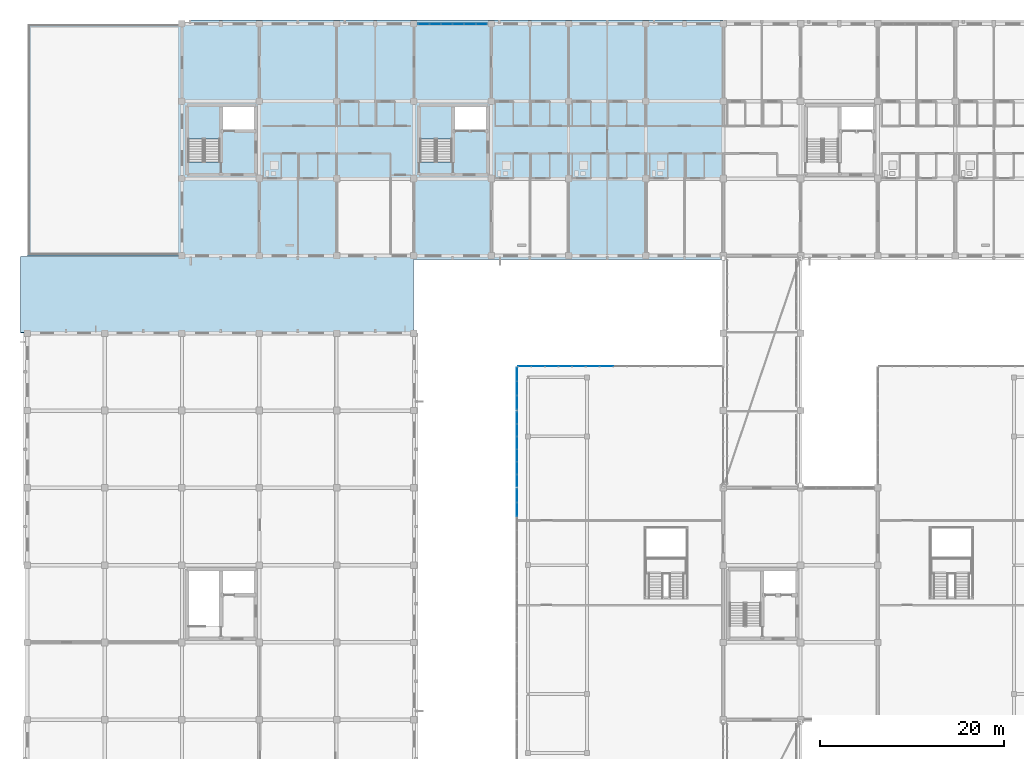
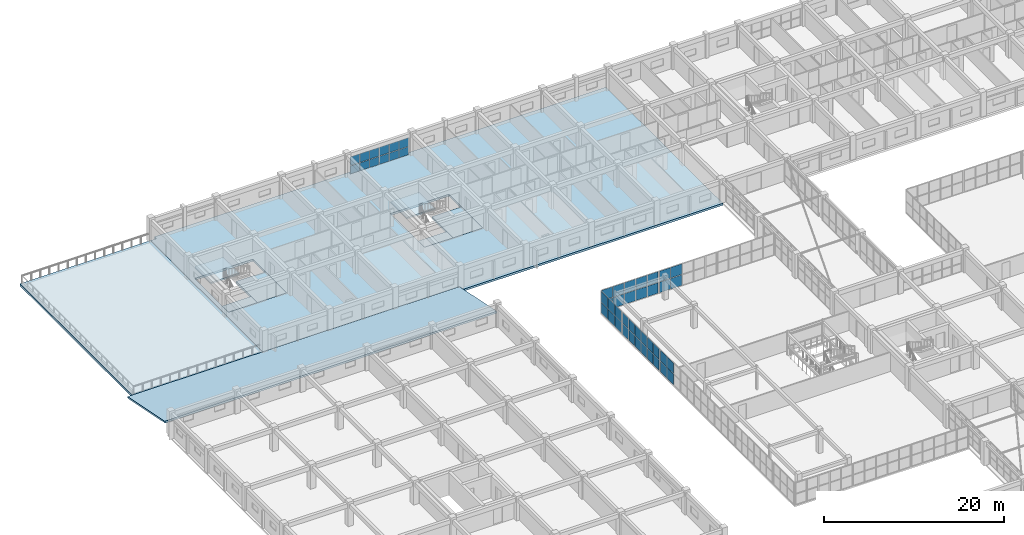
# One storey, part 103 of 148: 48 plates, 9 slabs, 8 elements without a shape of their own.
"""IFC4 building model written with IfcOpenShell, lengths in metres."""

import ifcopenshell
import ifcopenshell.guid

model = None  # the IFC model being written
_history = None  # IfcOwnerHistory: only IFC2X3 demands one
_inside = {}  # id of a spatial element -> (the spatial element, [elements in it])
_under = {}  # id of a project, library or spatial element -> (it, [spatial elements below it])
_declared = {}  # id of a project -> (the project, [libraries it declares])
_typed = {}  # id of a type object -> (the type object, [elements of that type])
_made_of = {}  # id of a material, layer set ... -> (it, [elements and type objects made of it])


def new_model(schema):
    """Start an empty IFC model of exactly this schema.

    Asked for "IFC4X3", IfcOpenShell would pick the latest addendum, in which some entities
    have other attributes; the version numbers below select the first issue.
    IFC2X3 requires an IfcOwnerHistory on every rooted entity: one is made here for all.
    """
    global model, _history
    if schema == "IFC4X3":
        model = ifcopenshell.file(schema_version=(4, 3, 0, 0))
    else:
        model = ifcopenshell.file(schema=schema)
    _inside.clear()
    _under.clear()
    _declared.clear()
    _typed.clear()
    _made_of.clear()
    _history = None
    if model.schema == "IFC2X3":
        org = make("IfcOrganization", Name="unknown")
        user = make(
            "IfcPersonAndOrganization",
            ThePerson=make("IfcPerson", FamilyName="unknown"),
            TheOrganization=org,
        )
        app = make(
            "IfcApplication",
            ApplicationDeveloper=org,
            Version="unknown",
            ApplicationFullName="unknown",
            ApplicationIdentifier="unknown",
        )
        _history = make(
            "IfcOwnerHistory",
            OwningUser=user,
            OwningApplication=app,
            ChangeAction="ADDED",
            CreationDate=0,
        )
    return model


def make(cls, **values):
    """One entity of the class cls with the attributes given. An attribute that is None is left unset."""
    return model.create_entity(
        cls, **{name: value for name, value in values.items() if value is not None}
    )


def rooted(cls, **values):
    """An entity with a GlobalId (a new one), such as an element, a storey or a relation."""
    return make(cls, GlobalId=ifcopenshell.guid.new(), OwnerHistory=_history, **values)


def si_unit(unit_type, name, prefix=None):
    """IfcSIUnit, for example si_unit("LENGTHUNIT", "METRE", prefix="MILLI")."""
    return make("IfcSIUnit", UnitType=unit_type, Prefix=prefix, Name=name)


def assignment(units):
    """IfcUnitAssignment: the units of a project."""
    return None if units is None else make("IfcUnitAssignment", Units=units)


def point(xyz):
    """IfcCartesianPoint."""
    return None if xyz is None else make("IfcCartesianPoint", Coordinates=xyz)


def direction(xyz):
    """IfcDirection."""
    return None if xyz is None else make("IfcDirection", DirectionRatios=xyz)


def frame(location, z_axis=None, x_axis=None):
    """IfcAxis2Placement3D, a coordinate frame: its origin and axes. An axis left out is left unset."""
    return make(
        "IfcAxis2Placement3D",
        Location=point(location),
        Axis=direction(z_axis),
        RefDirection=direction(x_axis),
    )


def frame_2d(location, x_axis=None):
    """IfcAxis2Placement2D, a coordinate frame in the plane: its origin and x axis."""
    return make(
        "IfcAxis2Placement2D", Location=point(location), RefDirection=direction(x_axis)
    )


def origin():
    """The frame at (0, 0, 0) with its axes left unset."""
    return frame((0.0, 0.0, 0.0))


def origin_2d():
    """The frame at (0, 0) in the plane with its x axis left unset."""
    return frame_2d((0.0, 0.0))


def place(relative_to, where):
    """IfcLocalPlacement: puts the frame where relative to a parent placement (None: the world)."""
    return make(
        "IfcLocalPlacement", PlacementRelTo=relative_to, RelativePlacement=where
    )


def context(
    kind, dimensions, precision=None, world=None, true_north=None, identifier=None
):
    """IfcGeometricRepresentationContext, for example the 3D "Model" context."""
    return make(
        "IfcGeometricRepresentationContext",
        ContextIdentifier=identifier,
        ContextType=kind,
        CoordinateSpaceDimension=dimensions,
        Precision=precision,
        WorldCoordinateSystem=world,
        TrueNorth=true_north,
    )


def subcontext(parent, identifier, kind, view, scale=None):
    """IfcGeometricRepresentationSubContext, for example "Body" below "Model"."""
    return make(
        "IfcGeometricRepresentationSubContext",
        ContextIdentifier=identifier,
        ContextType=kind,
        ParentContext=parent,
        TargetScale=scale,
        TargetView=view,
    )


def project(units=None, contexts=None):
    """IfcProject with its units and contexts."""
    return rooted(
        "IfcProject",
        Name="project",
        RepresentationContexts=contexts,
        UnitsInContext=assignment(units),
    )


def spatial(cls, under=None, at=None, **own):
    """A site, building, storey or space (cls), placed at a placement, below another one or the project."""
    s = rooted(cls, ObjectPlacement=at, **own)
    if under is not None:
        _under.setdefault(under.id(), (under, []))[1].append(s)
    return s


def polyline(points):
    """IfcPolyline through the points."""
    return make("IfcPolyline", Points=[point(p) for p in points])


def profile(cls, at=None, kind="AREA", **sizes):
    """A parametric profile (cls). Its sizes go by their IFC names, for example OverallWidth=200.0."""
    return make(cls, ProfileType=kind, Position=at, **sizes)


def rectangle(**sizes):
    """IfcRectangleProfileDef."""
    return profile("IfcRectangleProfileDef", **sizes)


def outline(outer, holes=None, kind="AREA"):
    """IfcArbitraryClosedProfileDef: a profile drawn as a closed curve; with holes, ...WithVoids."""
    if holes is None:
        return make("IfcArbitraryClosedProfileDef", ProfileType=kind, OuterCurve=outer)
    return make(
        "IfcArbitraryProfileDefWithVoids",
        ProfileType=kind,
        OuterCurve=outer,
        InnerCurves=holes,
    )


def extrude(swept, where, along, depth):
    """IfcExtrudedAreaSolid: the profile swept, set in the frame where, extruded along a direction by depth."""
    return make(
        "IfcExtrudedAreaSolid",
        SweptArea=swept,
        Position=where,
        ExtrudedDirection=direction(along),
        Depth=depth,
    )


def shape(context_of_items, identifier, shape_type, items):
    """IfcShapeRepresentation: the items that make up one representation, for example the "Body"."""
    return make(
        "IfcShapeRepresentation",
        ContextOfItems=context_of_items,
        RepresentationIdentifier=identifier,
        RepresentationType=shape_type,
        Items=items,
    )


def material(Name=None, Category=None):
    """IfcMaterial."""
    return make("IfcMaterial", Name=Name, Category=Category)


def layer(
    of_material, thickness, ventilated=None, Name=None, Category=None, Priority=None
):
    """IfcMaterialLayer: one layer of a wall or slab, of a material (None: an air gap)."""
    return make(
        "IfcMaterialLayer",
        Material=of_material,
        LayerThickness=thickness,
        IsVentilated=ventilated,
        Name=Name,
        Category=Category,
        Priority=Priority,
    )


def layer_set(layers, Name=None):
    """IfcMaterialLayerSet."""
    return make("IfcMaterialLayerSet", MaterialLayers=layers, LayerSetName=Name)


def made_of(thing, what):
    """Note that an element or type object is made of a material, layer set ...; save() writes the relation."""
    if what is not None:
        _made_of.setdefault(what.id(), (what, []))[1].append(thing)
    return thing


def type_object(cls, material=None, **own):
    """A type object (cls), such as IfcWallType, which elements share."""
    return made_of(rooted(cls, **own), material)


def element(
    cls,
    number,
    at=None,
    inside=None,
    cuts=None,
    type_object=None,
    material=None,
    context=None,
    identifier="Body",
    shape_type=None,
    held_by="IfcProductDefinitionShape",
    body=None,
    shapes=None,
    **own,
):
    """One element of the class cls, such as IfcWall. Its Tag is "e" and its number.

    at: its placement. inside: the storey or other place that contains it. cuts: it is an
    opening in that element (IfcRelVoidsElement). A single representation is given by context,
    identifier, shape_type and body (its items); several are given by shapes. held_by: the class
    of the entity that holds the representations. save() writes the other relations.
    """
    e = rooted(cls, Tag="e%d" % number, ObjectPlacement=at, **own)
    if body is not None:
        shapes = [shape(context, identifier, shape_type, body)]
    if shapes is not None:
        e.Representation = make(held_by, Representations=shapes)
    if inside is not None:
        _inside.setdefault(inside.id(), (inside, []))[1].append(e)
    if cuts is not None:
        rooted(
            "IfcRelVoidsElement", RelatingBuildingElement=cuts, RelatedOpeningElement=e
        )
    if type_object is not None:
        _typed.setdefault(type_object.id(), (type_object, []))[1].append(e)
    return made_of(e, material)


def aggregate(whole, parts):
    """IfcRelAggregates: a whole, such as a stair, and the parts it consists of."""
    return rooted("IfcRelAggregates", RelatingObject=whole, RelatedObjects=parts)


def save(model, path):
    """Write the relations noted so far, then the file.

    IfcRelAggregates (storeys below a building ...), IfcRelContainedInSpatialStructure (elements
    in a storey), IfcRelDefinesByType, IfcRelAssociatesMaterial and IfcRelDeclares: one each for
    every whole, place, type object, material and project.
    """
    for whole, parts in _under.values():
        aggregate(whole, parts)
    for where, things in _inside.values():
        rooted(
            "IfcRelContainedInSpatialStructure",
            RelatedElements=things,
            RelatingStructure=where,
        )
    for kind, things in _typed.values():
        rooted("IfcRelDefinesByType", RelatedObjects=things, RelatingType=kind)
    for what, things in _made_of.values():
        rooted("IfcRelAssociatesMaterial", RelatedObjects=things, RelatingMaterial=what)
    for by, libraries in _declared.values():
        rooted("IfcRelDeclares", RelatingContext=by, RelatedDefinitions=libraries)
    model.write(path)


model = new_model("IFC4")

# Units and contexts
model_context = context("Model", 3, precision=1e-05, world=origin(), true_north=direction((0.0, 1.0)))
body_context = subcontext(model_context, "Body", "Model", "MODEL_VIEW")
ifc_project = project(units=[si_unit("LENGTHUNIT", "METRE"), si_unit("AREAUNIT", "SQUARE_METRE"), si_unit("VOLUMEUNIT", "CUBIC_METRE"), si_unit("PLANEANGLEUNIT", "RADIAN"), si_unit("MASSUNIT", "GRAM", prefix="KILO")], contexts=[model_context])

# Site, building, storey
site_placement = place(None, origin())
site = spatial("IfcSite", under=ifc_project, at=site_placement, CompositionType="ELEMENT")
building_placement = place(site_placement, origin())
building = spatial("IfcBuilding", under=site, at=building_placement, Name="Trelvath General Hospital", CompositionType="ELEMENT")
storey_placement = place(building_placement, frame((0.0, 0.0, 12.89990234375)))
storey = spatial("IfcBuildingStorey", under=building, at=storey_placement, Name="L03", CompositionType="ELEMENT", Elevation=12.89990234375)

# Curtain wall, plates
ifc_material_1 = material(Name="Anodised aluminium and low-E glass", Category="aluminium")
ifc_layer_1 = layer(ifc_material_1, 0.14990234375)
ifc_layer_set_1 = layer_set([ifc_layer_1], Name="Anodised aluminium and low-E glass")
curtain_wall_type_1 = type_object("IfcCurtainWallType", Name="CW CrystalCube 737 306 15", PredefinedType="USERDEFINED", material=ifc_layer_set_1)
curtain_wall_1_placement = place(storey_placement, origin())
curtain_wall_1 = element("IfcCurtainWall", 1, at=curtain_wall_1_placement, inside=storey, type_object=curtain_wall_type_1, Name="Crystal Cube Curtain Wall CUBE-W-T1 N1 L03", ObjectType="Unitised Glazed Curtain Wall", PredefinedType="USERDEFINED")
ifc_material_2 = material(Name="Low-E laminated glass", Category="glass")
ifc_layer_2 = layer(ifc_material_2, 0.028076171875)
ifc_layer_set_2 = layer_set([ifc_layer_2], Name="Low-E laminated glass")
plate_type_1 = type_object("IfcPlateType", Name="CurtainPanel Glass28", PredefinedType="CURTAIN_PANEL", material=ifc_layer_set_2)
plate_1_placement = place(storey_placement, frame((54.03173828125, 80.39990234375, 0.06005859375), z_axis=(0.0, 0.0, 1.0), x_axis=(1.0, 0.0, 0.0)))
plate_1 = element("IfcPlate", 2, at=plate_1_placement, type_object=plate_type_1, Name="CW-233 panel 1.1", PredefinedType="CURTAIN_PANEL", context=body_context, shape_type="SweptSolid", body=[
    extrude(rectangle(XDim=1.38330078125, YDim=0.028076171875, at=origin_2d()), origin(), (0.0, 0.0, 1.0), 1.43994140625),
])
plate_2_placement = place(storey_placement, frame((54.03173828125, 80.39990234375, 1.56005859375), z_axis=(0.0, 0.0, 1.0), x_axis=(1.0, 0.0, 0.0)))
plate_2 = element("IfcPlate", 3, at=plate_2_placement, type_object=plate_type_1, Name="CW-233 panel 1.2", PredefinedType="CURTAIN_PANEL", context=body_context, shape_type="SweptSolid", body=[
    extrude(rectangle(XDim=1.38330078125, YDim=0.028076171875, at=origin_2d()), origin(), (0.0, 0.0, 1.0), 1.43994140625),
])
plate_3_placement = place(storey_placement, frame((55.489990234375, 80.39990234375, 0.06005859375), z_axis=(0.0, 0.0, 1.0), x_axis=(1.0, 0.0, 0.0)))
plate_3 = element("IfcPlate", 4, at=plate_3_placement, type_object=plate_type_1, Name="CW-233 panel 2.1", PredefinedType="CURTAIN_PANEL", context=body_context, shape_type="SweptSolid", body=[
    extrude(rectangle(XDim=1.413330078125, YDim=0.028076171875, at=origin_2d()), origin(), (0.0, 0.0, 1.0), 1.43994140625),
])
plate_4_placement = place(storey_placement, frame((55.489990234375, 80.39990234375, 1.56005859375), z_axis=(0.0, 0.0, 1.0), x_axis=(1.0, 0.0, 0.0)))
plate_4 = element("IfcPlate", 5, at=plate_4_placement, type_object=plate_type_1, Name="CW-233 panel 2.2", PredefinedType="CURTAIN_PANEL", context=body_context, shape_type="SweptSolid", body=[
    extrude(rectangle(XDim=1.413330078125, YDim=0.028076171875, at=origin_2d()), origin(), (0.0, 0.0, 1.0), 1.43994140625),
])
plate_5_placement = place(storey_placement, frame((56.96337890625, 80.39990234375, 0.06005859375), z_axis=(0.0, 0.0, 1.0), x_axis=(1.0, 0.0, 0.0)))
plate_5 = element("IfcPlate", 6, at=plate_5_placement, type_object=plate_type_1, Name="CW-233 panel 3.1", PredefinedType="CURTAIN_PANEL", context=body_context, shape_type="SweptSolid", body=[
    extrude(rectangle(XDim=1.413330078125, YDim=0.028076171875, at=origin_2d()), origin(), (0.0, 0.0, 1.0), 1.43994140625),
])
plate_6_placement = place(storey_placement, frame((56.96337890625, 80.39990234375, 1.56005859375), z_axis=(0.0, 0.0, 1.0), x_axis=(1.0, 0.0, 0.0)))
plate_6 = element("IfcPlate", 7, at=plate_6_placement, type_object=plate_type_1, Name="CW-233 panel 3.2", PredefinedType="CURTAIN_PANEL", context=body_context, shape_type="SweptSolid", body=[
    extrude(rectangle(XDim=1.413330078125, YDim=0.028076171875, at=origin_2d()), origin(), (0.0, 0.0, 1.0), 1.43994140625),
])
plate_7_placement = place(storey_placement, frame((58.436767578125, 80.39990234375, 0.06005859375), z_axis=(0.0, 0.0, 1.0), x_axis=(1.0, 0.0, 0.0)))
plate_7 = element("IfcPlate", 8, at=plate_7_placement, type_object=plate_type_1, Name="CW-233 panel 4.1", PredefinedType="CURTAIN_PANEL", context=body_context, shape_type="SweptSolid", body=[
    extrude(rectangle(XDim=1.413330078125, YDim=0.028076171875, at=origin_2d()), origin(), (0.0, 0.0, 1.0), 1.43994140625),
])
plate_8_placement = place(storey_placement, frame((58.436767578125, 80.39990234375, 1.56005859375), z_axis=(0.0, 0.0, 1.0), x_axis=(1.0, 0.0, 0.0)))
plate_8 = element("IfcPlate", 9, at=plate_8_placement, type_object=plate_type_1, Name="CW-233 panel 4.2", PredefinedType="CURTAIN_PANEL", context=body_context, shape_type="SweptSolid", body=[
    extrude(rectangle(XDim=1.413330078125, YDim=0.028076171875, at=origin_2d()), origin(), (0.0, 0.0, 1.0), 1.43994140625),
])
plate_9_placement = place(storey_placement, frame((59.89501953125, 80.39990234375, 0.06005859375), z_axis=(0.0, 0.0, 1.0), x_axis=(1.0, 0.0, 0.0)))
plate_9 = element("IfcPlate", 10, at=plate_9_placement, type_object=plate_type_1, Name="CW-233 panel 5.1", PredefinedType="CURTAIN_PANEL", context=body_context, shape_type="SweptSolid", body=[
    extrude(rectangle(XDim=1.38330078125, YDim=0.028076171875, at=origin_2d()), origin(), (0.0, 0.0, 1.0), 1.43994140625),
])
plate_10_placement = place(storey_placement, frame((59.89501953125, 80.39990234375, 1.56005859375), z_axis=(0.0, 0.0, 1.0), x_axis=(1.0, 0.0, 0.0)))
plate_10 = element("IfcPlate", 11, at=plate_10_placement, type_object=plate_type_1, Name="CW-233 panel 5.2", PredefinedType="CURTAIN_PANEL", context=body_context, shape_type="SweptSolid", body=[
    extrude(rectangle(XDim=1.38330078125, YDim=0.028076171875, at=origin_2d()), origin(), (0.0, 0.0, 1.0), 1.43994140625),
])
aggregate(curtain_wall_1, [plate_1, plate_2, plate_3, plate_4, plate_5, plate_6, plate_7, plate_8, plate_9, plate_10])

ifc_material_3 = material(Name="Anodised aluminium and low-E glass", Category="aluminium")
ifc_layer_3 = layer(ifc_material_3, 0.14990234375)
ifc_layer_set_3 = layer_set([ifc_layer_3], Name="Anodised aluminium and low-E glass")
curtain_wall_type_2 = type_object("IfcCurtainWallType", Name="CW CrystalCube 743 306 15", PredefinedType="USERDEFINED", material=ifc_layer_set_3)
curtain_wall_2_placement = place(storey_placement, origin())
curtain_wall_2 = element("IfcCurtainWall", 12, at=curtain_wall_2_placement, inside=storey, type_object=curtain_wall_type_2, Name="Crystal Cube Curtain Wall CUBE-W-T1 N2 L03", ObjectType="Unitised Glazed Curtain Wall", PredefinedType="USERDEFINED")
plate_11_placement = place(storey_placement, frame((61.4443359375, 80.39990234375, 0.06005859375), z_axis=(0.0, 0.0, 1.0), x_axis=(1.0, 0.0, 0.0)))
plate_11 = element("IfcPlate", 13, at=plate_11_placement, type_object=plate_type_1, Name="CW-234 panel 1.1", PredefinedType="CURTAIN_PANEL", context=body_context, shape_type="SweptSolid", body=[
    extrude(rectangle(XDim=1.395263671875, YDim=0.028076171875, at=origin_2d()), origin(), (0.0, 0.0, 1.0), 1.43994140625),
])
plate_12_placement = place(storey_placement, frame((61.4443359375, 80.39990234375, 1.56005859375), z_axis=(0.0, 0.0, 1.0), x_axis=(1.0, 0.0, 0.0)))
plate_12 = element("IfcPlate", 14, at=plate_12_placement, type_object=plate_type_1, Name="CW-234 panel 1.2", PredefinedType="CURTAIN_PANEL", context=body_context, shape_type="SweptSolid", body=[
    extrude(rectangle(XDim=1.395263671875, YDim=0.028076171875, at=origin_2d()), origin(), (0.0, 0.0, 1.0), 1.43994140625),
])
plate_13_placement = place(storey_placement, frame((62.914794921875, 80.39990234375, 0.06005859375), z_axis=(0.0, 0.0, 1.0), x_axis=(1.0, 0.0, 0.0)))
plate_13 = element("IfcPlate", 15, at=plate_13_placement, type_object=plate_type_1, Name="CW-234 panel 2.1", PredefinedType="CURTAIN_PANEL", context=body_context, shape_type="SweptSolid", body=[
    extrude(rectangle(XDim=1.42529296875, YDim=0.028076171875, at=origin_2d()), origin(), (0.0, 0.0, 1.0), 1.43994140625),
])
plate_14_placement = place(storey_placement, frame((62.914794921875, 80.39990234375, 1.56005859375), z_axis=(0.0, 0.0, 1.0), x_axis=(1.0, 0.0, 0.0)))
plate_14 = element("IfcPlate", 16, at=plate_14_placement, type_object=plate_type_1, Name="CW-234 panel 2.2", PredefinedType="CURTAIN_PANEL", context=body_context, shape_type="SweptSolid", body=[
    extrude(rectangle(XDim=1.42529296875, YDim=0.028076171875, at=origin_2d()), origin(), (0.0, 0.0, 1.0), 1.43994140625),
])
aggregate(curtain_wall_2, [plate_11, plate_12, plate_13, plate_14])

ifc_material_4 = material(Name="Anodised aluminium and low-E glass", Category="aluminium")
ifc_layer_4 = layer(ifc_material_4, 0.14990234375)
ifc_layer_set_4 = layer_set([ifc_layer_4], Name="Anodised aluminium and low-E glass")
curtain_wall_type_3 = type_object("IfcCurtainWallType", Name="CW CrystalCube 1664 306 15", PredefinedType="USERDEFINED", material=ifc_layer_set_4)
curtain_wall_3_placement = place(storey_placement, origin())
curtain_wall_3 = element("IfcCurtainWall", 17, at=curtain_wall_3_placement, inside=storey, type_object=curtain_wall_type_3, Name="Crystal Cube Curtain Wall CUBE-W-T1 W3 L03", ObjectType="Unitised Glazed Curtain Wall", PredefinedType="USERDEFINED")
plate_15_placement = place(storey_placement, frame((53.199951171875, 64.850830078125, 0.06005859375), z_axis=(0.0, 0.0, 1.0), x_axis=(0.0, 1.0, 0.0)))
plate_15 = element("IfcPlate", 18, at=plate_15_placement, type_object=plate_type_1, Name="CW-239 panel 10.1", PredefinedType="CURTAIN_PANEL", context=body_context, shape_type="SweptSolid", body=[
    extrude(rectangle(XDim=1.45263671875, YDim=0.028076171875, at=origin_2d()), origin(), (0.0, 0.0, 1.0), 1.43994140625),
])
plate_16_placement = place(storey_placement, frame((53.199951171875, 64.850830078125, 1.56005859375), z_axis=(0.0, 0.0, 1.0), x_axis=(0.0, 1.0, 0.0)))
plate_16 = element("IfcPlate", 19, at=plate_16_placement, type_object=plate_type_1, Name="CW-239 panel 10.2", PredefinedType="CURTAIN_PANEL", context=body_context, shape_type="SweptSolid", body=[
    extrude(rectangle(XDim=1.45263671875, YDim=0.028076171875, at=origin_2d()), origin(), (0.0, 0.0, 1.0), 1.43994140625),
])
plate_17_placement = place(storey_placement, frame((53.199951171875, 66.3486328125, 0.06005859375), z_axis=(0.0, 0.0, 1.0), x_axis=(0.0, 1.0, 0.0)))
plate_17 = element("IfcPlate", 20, at=plate_17_placement, type_object=plate_type_1, Name="CW-239 panel 11.1", PredefinedType="CURTAIN_PANEL", context=body_context, shape_type="SweptSolid", body=[
    extrude(rectangle(XDim=1.422607421875, YDim=0.028076171875, at=origin_2d()), origin(), (0.0, 0.0, 1.0), 1.43994140625),
])
plate_18_placement = place(storey_placement, frame((53.199951171875, 66.3486328125, 1.56005859375), z_axis=(0.0, 0.0, 1.0), x_axis=(0.0, 1.0, 0.0)))
plate_18 = element("IfcPlate", 21, at=plate_18_placement, type_object=plate_type_1, Name="CW-239 panel 11.2", PredefinedType="CURTAIN_PANEL", context=body_context, shape_type="SweptSolid", body=[
    extrude(rectangle(XDim=1.422607421875, YDim=0.028076171875, at=origin_2d()), origin(), (0.0, 0.0, 1.0), 1.43994140625),
])
aggregate(curtain_wall_3, [plate_15, plate_16, plate_17, plate_18])

ifc_material_5 = material(Name="Anodised aluminium and low-E glass", Category="aluminium")
ifc_layer_5 = layer(ifc_material_5, 0.14990234375)
ifc_layer_set_5 = layer_set([ifc_layer_5], Name="Anodised aluminium and low-E glass")
curtain_wall_type_4 = type_object("IfcCurtainWallType", Name="CW CrystalCube 824 306 15", PredefinedType="USERDEFINED", material=ifc_layer_set_5)
curtain_wall_4_placement = place(storey_placement, origin())
curtain_wall_4 = element("IfcCurtainWall", 22, at=curtain_wall_4_placement, inside=storey, type_object=curtain_wall_type_4, Name="Crystal Cube Curtain Wall CUBE-W-T1 W4 L03", ObjectType="Unitised Glazed Curtain Wall", PredefinedType="USERDEFINED")
plate_19_placement = place(storey_placement, frame((53.199951171875, 67.981689453125, 0.06005859375), z_axis=(0.0, 0.0, 1.0), x_axis=(0.0, 1.0, 0.0)))
plate_19 = element("IfcPlate", 23, at=plate_19_placement, type_object=plate_type_1, Name="CW-240 panel 1.1", PredefinedType="CURTAIN_PANEL", context=body_context, shape_type="SweptSolid", body=[
    extrude(rectangle(XDim=1.283447265625, YDim=0.028076171875, at=origin_2d()), origin(), (0.0, 0.0, 1.0), 1.43994140625),
])
plate_20_placement = place(storey_placement, frame((53.199951171875, 67.981689453125, 1.56005859375), z_axis=(0.0, 0.0, 1.0), x_axis=(0.0, 1.0, 0.0)))
plate_20 = element("IfcPlate", 24, at=plate_20_placement, type_object=plate_type_1, Name="CW-240 panel 1.2", PredefinedType="CURTAIN_PANEL", context=body_context, shape_type="SweptSolid", body=[
    extrude(rectangle(XDim=1.283447265625, YDim=0.028076171875, at=origin_2d()), origin(), (0.0, 0.0, 1.0), 1.43994140625),
])
plate_21_placement = place(storey_placement, frame((53.199951171875, 69.340087890625, 0.06005859375), z_axis=(0.0, 0.0, 1.0), x_axis=(0.0, 1.0, 0.0)))
plate_21 = element("IfcPlate", 25, at=plate_21_placement, type_object=plate_type_1, Name="CW-240 panel 2.1", PredefinedType="CURTAIN_PANEL", context=body_context, shape_type="SweptSolid", body=[
    extrude(rectangle(XDim=1.313232421875, YDim=0.028076171875, at=origin_2d()), origin(), (0.0, 0.0, 1.0), 1.43994140625),
])
plate_22_placement = place(storey_placement, frame((53.199951171875, 69.340087890625, 1.56005859375), z_axis=(0.0, 0.0, 1.0), x_axis=(0.0, 1.0, 0.0)))
plate_22 = element("IfcPlate", 26, at=plate_22_placement, type_object=plate_type_1, Name="CW-240 panel 2.2", PredefinedType="CURTAIN_PANEL", context=body_context, shape_type="SweptSolid", body=[
    extrude(rectangle(XDim=1.313232421875, YDim=0.028076171875, at=origin_2d()), origin(), (0.0, 0.0, 1.0), 1.43994140625),
])
plate_23_placement = place(storey_placement, frame((53.199951171875, 70.71337890625, 0.06005859375), z_axis=(0.0, 0.0, 1.0), x_axis=(0.0, 1.0, 0.0)))
plate_23 = element("IfcPlate", 27, at=plate_23_placement, type_object=plate_type_1, Name="CW-240 panel 3.1", PredefinedType="CURTAIN_PANEL", context=body_context, shape_type="SweptSolid", body=[
    extrude(rectangle(XDim=1.313232421875, YDim=0.028076171875, at=origin_2d()), origin(), (0.0, 0.0, 1.0), 1.43994140625),
])
plate_24_placement = place(storey_placement, frame((53.199951171875, 70.71337890625, 1.56005859375), z_axis=(0.0, 0.0, 1.0), x_axis=(0.0, 1.0, 0.0)))
plate_24 = element("IfcPlate", 28, at=plate_24_placement, type_object=plate_type_1, Name="CW-240 panel 3.2", PredefinedType="CURTAIN_PANEL", context=body_context, shape_type="SweptSolid", body=[
    extrude(rectangle(XDim=1.313232421875, YDim=0.028076171875, at=origin_2d()), origin(), (0.0, 0.0, 1.0), 1.43994140625),
])
plate_25_placement = place(storey_placement, frame((53.199951171875, 72.086669921875, 0.06005859375), z_axis=(0.0, 0.0, 1.0), x_axis=(0.0, 1.0, 0.0)))
plate_25 = element("IfcPlate", 29, at=plate_25_placement, type_object=plate_type_1, Name="CW-240 panel 4.1", PredefinedType="CURTAIN_PANEL", context=body_context, shape_type="SweptSolid", body=[
    extrude(rectangle(XDim=1.313232421875, YDim=0.028076171875, at=origin_2d()), origin(), (0.0, 0.0, 1.0), 1.43994140625),
])
plate_26_placement = place(storey_placement, frame((53.199951171875, 72.086669921875, 1.56005859375), z_axis=(0.0, 0.0, 1.0), x_axis=(0.0, 1.0, 0.0)))
plate_26 = element("IfcPlate", 30, at=plate_26_placement, type_object=plate_type_1, Name="CW-240 panel 4.2", PredefinedType="CURTAIN_PANEL", context=body_context, shape_type="SweptSolid", body=[
    extrude(rectangle(XDim=1.313232421875, YDim=0.028076171875, at=origin_2d()), origin(), (0.0, 0.0, 1.0), 1.43994140625),
])
plate_27_placement = place(storey_placement, frame((53.199951171875, 73.4599609375, 0.06005859375), z_axis=(0.0, 0.0, 1.0), x_axis=(0.0, 1.0, 0.0)))
plate_27 = element("IfcPlate", 31, at=plate_27_placement, type_object=plate_type_1, Name="CW-240 panel 5.1", PredefinedType="CURTAIN_PANEL", context=body_context, shape_type="SweptSolid", body=[
    extrude(rectangle(XDim=1.313232421875, YDim=0.028076171875, at=origin_2d()), origin(), (0.0, 0.0, 1.0), 1.43994140625),
])
plate_28_placement = place(storey_placement, frame((53.199951171875, 73.4599609375, 1.56005859375), z_axis=(0.0, 0.0, 1.0), x_axis=(0.0, 1.0, 0.0)))
plate_28 = element("IfcPlate", 32, at=plate_28_placement, type_object=plate_type_1, Name="CW-240 panel 5.2", PredefinedType="CURTAIN_PANEL", context=body_context, shape_type="SweptSolid", body=[
    extrude(rectangle(XDim=1.313232421875, YDim=0.028076171875, at=origin_2d()), origin(), (0.0, 0.0, 1.0), 1.43994140625),
])
plate_29_placement = place(storey_placement, frame((53.199951171875, 74.818359375, 0.06005859375), z_axis=(0.0, 0.0, 1.0), x_axis=(0.0, 1.0, 0.0)))
plate_29 = element("IfcPlate", 33, at=plate_29_placement, type_object=plate_type_1, Name="CW-240 panel 6.1", PredefinedType="CURTAIN_PANEL", context=body_context, shape_type="SweptSolid", body=[
    extrude(rectangle(XDim=1.283447265625, YDim=0.028076171875, at=origin_2d()), origin(), (0.0, 0.0, 1.0), 1.43994140625),
])
plate_30_placement = place(storey_placement, frame((53.199951171875, 74.818359375, 1.56005859375), z_axis=(0.0, 0.0, 1.0), x_axis=(0.0, 1.0, 0.0)))
plate_30 = element("IfcPlate", 34, at=plate_30_placement, type_object=plate_type_1, Name="CW-240 panel 6.2", PredefinedType="CURTAIN_PANEL", context=body_context, shape_type="SweptSolid", body=[
    extrude(rectangle(XDim=1.283447265625, YDim=0.028076171875, at=origin_2d()), origin(), (0.0, 0.0, 1.0), 1.43994140625),
])
aggregate(curtain_wall_4, [plate_19, plate_20, plate_21, plate_22, plate_23, plate_24, plate_25, plate_26, plate_27, plate_28, plate_29, plate_30])

ifc_material_6 = material(Name="Anodised aluminium and low-E glass", Category="aluminium")
ifc_layer_6 = layer(ifc_material_6, 0.14990234375)
ifc_layer_set_6 = layer_set([ifc_layer_6], Name="Anodised aluminium and low-E glass")
curtain_wall_type_5 = type_object("IfcCurtainWallType", Name="CW CrystalCube 464 306 15", PredefinedType="USERDEFINED", material=ifc_layer_set_6)
curtain_wall_5_placement = place(storey_placement, origin())
curtain_wall_5 = element("IfcCurtainWall", 35, at=curtain_wall_5_placement, inside=storey, type_object=curtain_wall_type_5, Name="Crystal Cube Curtain Wall CUBE-W-T1 W5 L03", ObjectType="Unitised Glazed Curtain Wall", PredefinedType="USERDEFINED")
plate_31_placement = place(storey_placement, frame((53.199951171875, 76.46826171875, 0.06005859375), z_axis=(0.0, 0.0, 1.0), x_axis=(0.0, 1.0, 0.0)))
plate_31 = element("IfcPlate", 36, at=plate_31_placement, type_object=plate_type_1, Name="CW-242 panel 1.1", PredefinedType="CURTAIN_PANEL", context=body_context, shape_type="SweptSolid", body=[
    extrude(rectangle(XDim=1.456787109375, YDim=0.028076171875, at=origin_2d()), origin(), (0.0, 0.0, 1.0), 1.43994140625),
])
plate_32_placement = place(storey_placement, frame((53.199951171875, 76.46826171875, 1.56005859375), z_axis=(0.0, 0.0, 1.0), x_axis=(0.0, 1.0, 0.0)))
plate_32 = element("IfcPlate", 37, at=plate_32_placement, type_object=plate_type_1, Name="CW-242 panel 1.2", PredefinedType="CURTAIN_PANEL", context=body_context, shape_type="SweptSolid", body=[
    extrude(rectangle(XDim=1.456787109375, YDim=0.028076171875, at=origin_2d()), origin(), (0.0, 0.0, 1.0), 1.43994140625),
])
plate_33_placement = place(storey_placement, frame((53.199951171875, 78.0, 0.06005859375), z_axis=(0.0, 0.0, 1.0), x_axis=(0.0, 1.0, 0.0)))
plate_33 = element("IfcPlate", 38, at=plate_33_placement, type_object=plate_type_1, Name="CW-242 panel 2.1", PredefinedType="CURTAIN_PANEL", context=body_context, shape_type="SweptSolid", body=[
    extrude(rectangle(XDim=1.486572265625, YDim=0.028076171875, at=origin_2d()), origin(), (0.0, 0.0, 1.0), 1.43994140625),
])
plate_34_placement = place(storey_placement, frame((53.199951171875, 78.0, 1.56005859375), z_axis=(0.0, 0.0, 1.0), x_axis=(0.0, 1.0, 0.0)))
plate_34 = element("IfcPlate", 39, at=plate_34_placement, type_object=plate_type_1, Name="CW-242 panel 2.2", PredefinedType="CURTAIN_PANEL", context=body_context, shape_type="SweptSolid", body=[
    extrude(rectangle(XDim=1.486572265625, YDim=0.028076171875, at=origin_2d()), origin(), (0.0, 0.0, 1.0), 1.43994140625),
])
plate_35_placement = place(storey_placement, frame((53.199951171875, 79.53173828125, 0.06005859375), z_axis=(0.0, 0.0, 1.0), x_axis=(0.0, 1.0, 0.0)))
plate_35 = element("IfcPlate", 40, at=plate_35_placement, type_object=plate_type_1, Name="CW-242 panel 3.1", PredefinedType="CURTAIN_PANEL", context=body_context, shape_type="SweptSolid", body=[
    extrude(rectangle(XDim=1.456787109375, YDim=0.028076171875, at=origin_2d()), origin(), (0.0, 0.0, 1.0), 1.43994140625),
])
plate_36_placement = place(storey_placement, frame((53.199951171875, 79.53173828125, 1.56005859375), z_axis=(0.0, 0.0, 1.0), x_axis=(0.0, 1.0, 0.0)))
plate_36 = element("IfcPlate", 41, at=plate_36_placement, type_object=plate_type_1, Name="CW-242 panel 3.2", PredefinedType="CURTAIN_PANEL", context=body_context, shape_type="SweptSolid", body=[
    extrude(rectangle(XDim=1.456787109375, YDim=0.028076171875, at=origin_2d()), origin(), (0.0, 0.0, 1.0), 1.43994140625),
])
aggregate(curtain_wall_5, [plate_31, plate_32, plate_33, plate_34, plate_35, plate_36])

ifc_material_7 = material(Name="Anodised aluminium and low-E glass", Category="aluminium")
ifc_layer_7 = layer(ifc_material_7, 0.159912109375)
ifc_layer_set_7 = layer_set([ifc_layer_7], Name="Anodised aluminium and low-E glass")
curtain_wall_type_6 = type_object("IfcCurtainWallType", Name="CW Facade 759 244 16", PredefinedType="USERDEFINED", material=ifc_layer_set_7)
curtain_wall_6_placement = place(storey_placement, origin())
curtain_wall_6 = element("IfcCurtainWall", 42, at=curtain_wall_6_placement, inside=storey, type_object=curtain_wall_type_6, Name="Facade Curtain Wall CW-057", ObjectType="Unitised Glazed Curtain Wall", PredefinedType="USERDEFINED")
ifc_material_8 = material(Name="Insulated aluminium spandrel", Category="aluminium")
ifc_layer_8 = layer(ifc_material_8, 0.0439453125)
ifc_layer_set_8 = layer_set([ifc_layer_8], Name="Insulated aluminium spandrel")
plate_type_2 = type_object("IfcPlateType", Name="CurtainPanel Spandrel44", PredefinedType="CURTAIN_PANEL", material=ifc_layer_set_8)
plate_37_placement = place(storey_placement, frame((43.052490234375, 117.60009765625, 0.06005859375), z_axis=(0.0, 0.0, 1.0), x_axis=(1.0, 0.0, 0.0)))
plate_37 = element("IfcPlate", 43, at=plate_37_placement, type_object=plate_type_2, Name="CW-057 panel 1.1", PredefinedType="CURTAIN_PANEL", context=body_context, shape_type="SweptSolid", body=[
    extrude(rectangle(XDim=1.175048828125, YDim=0.0439453125, at=origin_2d()), origin(), (0.0, 0.0, 1.0), 1.0810546875),
])
plate_38_placement = place(storey_placement, frame((43.052490234375, 117.60009765625, 1.201171875), z_axis=(0.0, 0.0, 1.0), x_axis=(1.0, 0.0, 0.0)))
plate_38 = element("IfcPlate", 44, at=plate_38_placement, type_object=plate_type_2, Name="CW-057 panel 1.2", PredefinedType="CURTAIN_PANEL", context=body_context, shape_type="SweptSolid", body=[
    extrude(rectangle(XDim=1.175048828125, YDim=0.0439453125, at=origin_2d()), origin(), (0.0, 0.0, 1.0), 1.178955078125),
])
plate_39_placement = place(storey_placement, frame((44.302490234375, 117.60009765625, 0.06005859375), z_axis=(0.0, 0.0, 1.0), x_axis=(1.0, 0.0, 0.0)))
plate_39 = element("IfcPlate", 45, at=plate_39_placement, type_object=plate_type_2, Name="CW-057 panel 2.1", PredefinedType="CURTAIN_PANEL", context=body_context, shape_type="SweptSolid", body=[
    extrude(rectangle(XDim=1.205078125, YDim=0.0439453125, at=origin_2d()), origin(), (0.0, 0.0, 1.0), 1.0810546875),
])
plate_40_placement = place(storey_placement, frame((44.302490234375, 117.60009765625, 1.201171875), z_axis=(0.0, 0.0, 1.0), x_axis=(1.0, 0.0, 0.0)))
plate_40 = element("IfcPlate", 46, at=plate_40_placement, type_object=plate_type_2, Name="CW-057 panel 2.2", PredefinedType="CURTAIN_PANEL", context=body_context, shape_type="SweptSolid", body=[
    extrude(rectangle(XDim=1.205078125, YDim=0.0439453125, at=origin_2d()), origin(), (0.0, 0.0, 1.0), 1.178955078125),
])
plate_41_placement = place(storey_placement, frame((45.5673828125, 117.60009765625, 0.06005859375), z_axis=(0.0, 0.0, 1.0), x_axis=(1.0, 0.0, 0.0)))
plate_41 = element("IfcPlate", 47, at=plate_41_placement, type_object=plate_type_2, Name="CW-057 panel 3.1", PredefinedType="CURTAIN_PANEL", context=body_context, shape_type="SweptSolid", body=[
    extrude(rectangle(XDim=1.205078125, YDim=0.0439453125, at=origin_2d()), origin(), (0.0, 0.0, 1.0), 1.0810546875),
])
plate_42_placement = place(storey_placement, frame((45.5673828125, 117.60009765625, 1.201171875), z_axis=(0.0, 0.0, 1.0), x_axis=(1.0, 0.0, 0.0)))
plate_42 = element("IfcPlate", 48, at=plate_42_placement, type_object=plate_type_2, Name="CW-057 panel 3.2", PredefinedType="CURTAIN_PANEL", context=body_context, shape_type="SweptSolid", body=[
    extrude(rectangle(XDim=1.205078125, YDim=0.0439453125, at=origin_2d()), origin(), (0.0, 0.0, 1.0), 1.178955078125),
])
plate_43_placement = place(storey_placement, frame((46.83251953125, 117.60009765625, 0.06005859375), z_axis=(0.0, 0.0, 1.0), x_axis=(1.0, 0.0, 0.0)))
plate_43 = element("IfcPlate", 49, at=plate_43_placement, type_object=plate_type_2, Name="CW-057 panel 4.1", PredefinedType="CURTAIN_PANEL", context=body_context, shape_type="SweptSolid", body=[
    extrude(rectangle(XDim=1.205078125, YDim=0.0439453125, at=origin_2d()), origin(), (0.0, 0.0, 1.0), 1.0810546875),
])
plate_44_placement = place(storey_placement, frame((46.83251953125, 117.60009765625, 1.201171875), z_axis=(0.0, 0.0, 1.0), x_axis=(1.0, 0.0, 0.0)))
plate_44 = element("IfcPlate", 50, at=plate_44_placement, type_object=plate_type_2, Name="CW-057 panel 4.2", PredefinedType="CURTAIN_PANEL", context=body_context, shape_type="SweptSolid", body=[
    extrude(rectangle(XDim=1.205078125, YDim=0.0439453125, at=origin_2d()), origin(), (0.0, 0.0, 1.0), 1.178955078125),
])
plate_45_placement = place(storey_placement, frame((48.097412109375, 117.60009765625, 0.06005859375), z_axis=(0.0, 0.0, 1.0), x_axis=(1.0, 0.0, 0.0)))
plate_45 = element("IfcPlate", 51, at=plate_45_placement, type_object=plate_type_2, Name="CW-057 panel 5.1", PredefinedType="CURTAIN_PANEL", context=body_context, shape_type="SweptSolid", body=[
    extrude(rectangle(XDim=1.205078125, YDim=0.0439453125, at=origin_2d()), origin(), (0.0, 0.0, 1.0), 1.0810546875),
])
plate_46_placement = place(storey_placement, frame((48.097412109375, 117.60009765625, 1.201171875), z_axis=(0.0, 0.0, 1.0), x_axis=(1.0, 0.0, 0.0)))
plate_46 = element("IfcPlate", 52, at=plate_46_placement, type_object=plate_type_2, Name="CW-057 panel 5.2", PredefinedType="CURTAIN_PANEL", context=body_context, shape_type="SweptSolid", body=[
    extrude(rectangle(XDim=1.205078125, YDim=0.0439453125, at=origin_2d()), origin(), (0.0, 0.0, 1.0), 1.178955078125),
])
plate_47_placement = place(storey_placement, frame((49.347412109375, 117.60009765625, 0.06005859375), z_axis=(0.0, 0.0, 1.0), x_axis=(1.0, 0.0, 0.0)))
plate_47 = element("IfcPlate", 53, at=plate_47_placement, type_object=plate_type_2, Name="CW-057 panel 6.1", PredefinedType="CURTAIN_PANEL", context=body_context, shape_type="SweptSolid", body=[
    extrude(rectangle(XDim=1.175048828125, YDim=0.0439453125, at=origin_2d()), origin(), (0.0, 0.0, 1.0), 1.0810546875),
])
plate_48_placement = place(storey_placement, frame((49.347412109375, 117.60009765625, 1.201171875), z_axis=(0.0, 0.0, 1.0), x_axis=(1.0, 0.0, 0.0)))
plate_48 = element("IfcPlate", 54, at=plate_48_placement, type_object=plate_type_2, Name="CW-057 panel 6.2", PredefinedType="CURTAIN_PANEL", context=body_context, shape_type="SweptSolid", body=[
    extrude(rectangle(XDim=1.175048828125, YDim=0.0439453125, at=origin_2d()), origin(), (0.0, 0.0, 1.0), 1.178955078125),
])
aggregate(curtain_wall_6, [plate_37, plate_38, plate_39, plate_40, plate_41, plate_42, plate_43, plate_44, plate_45, plate_46, plate_47, plate_48])

# Slabs
ifc_material_9 = material(Name="Concrete C35/45", Category="concrete")
ifc_layer_9 = layer(ifc_material_9, 0.280029296875)
ifc_layer_set_9 = layer_set([ifc_layer_9], Name="Concrete C35/45")
slab_type_1 = type_object("IfcSlabType", Name="FlatSlab Clinical280", PredefinedType="FLOOR", material=ifc_layer_set_9)
slab_1_placement = place(storey_placement, frame((0.0, 0.0, -0.27978515625)))
element("IfcSlab", 55, at=slab_1_placement, inside=storey, type_object=slab_type_1, Name="Floor Slab SL-L03-V5-N1", PredefinedType="FLOOR", context=body_context, shape_type="SweptSolid", body=[
    extrude(outline(polyline([(17.550048828125, 117.60009765625), (17.550048828125, 118.02001953125), (75.60009765625, 118.02001953125), (75.60009765625, 117.6201171875), (75.580078125, 117.6201171875), (75.60009765625, 117.60009765625), (75.60009765625, 92.39990234375), (75.580078125, 92.39990234375), (75.60009765625, 92.3798828125), (75.60009765625, 91.97998046875), (42.0, 91.97998046875), (42.0, 92.39990234375), (16.800048828125, 92.39990234375), (16.800048828125, 117.60009765625), (17.550048828125, 117.60009765625)]), holes=[polyline([(17.35009765625, 101.199951171875), (24.85009765625, 101.199951171875), (24.85009765625, 108.75), (17.35009765625, 108.75), (17.35009765625, 101.199951171875)]), polyline([(42.550048828125, 101.199951171875), (50.050048828125, 101.199951171875), (50.050048828125, 108.75), (42.550048828125, 108.75), (42.550048828125, 101.199951171875)])]), origin(), (0.0, 0.0, 1.0), 0.27978515625),
])
slab_2_placement = place(storey_placement, frame((0.0, 0.0, -0.27978515625)))
element("IfcSlab", 56, at=slab_2_placement, inside=storey, type_object=slab_type_1, Name="Core Lobby Slab C1 L03", PredefinedType="FLOOR", context=body_context, shape_type="SweptSolid", body=[
    extrude(outline(polyline([(46.25, 101.199951171875), (50.050048828125, 101.199951171875), (50.050048828125, 105.949951171875), (46.25, 105.949951171875), (46.25, 101.199951171875)])), origin(), (0.0, 0.0, 1.0), 0.27978515625),
])
slab_3_placement = place(storey_placement, frame((0.0, 0.0, -0.27978515625)))
element("IfcSlab", 57, at=slab_3_placement, inside=storey, type_object=slab_type_1, Name="Stair Landing Slab C1 L03", PredefinedType="FLOOR", context=body_context, shape_type="SweptSolid", body=[
    extrude(outline(polyline([(42.550048828125, 101.199951171875), (46.25, 101.199951171875), (46.25, 102.60009765625), (42.550048828125, 102.60009765625), (42.550048828125, 101.199951171875)])), origin(), (0.0, 0.0, 1.0), 0.27978515625),
])
slab_4_placement = place(storey_placement, frame((0.0, 0.0, -0.27978515625)))
element("IfcSlab", 58, at=slab_4_placement, inside=storey, type_object=slab_type_1, Name="Core Lobby Slab C3 L03", PredefinedType="FLOOR", context=body_context, shape_type="SweptSolid", body=[
    extrude(outline(polyline([(21.050048828125, 101.199951171875), (24.85009765625, 101.199951171875), (24.85009765625, 105.949951171875), (21.050048828125, 105.949951171875), (21.050048828125, 101.199951171875)])), origin(), (0.0, 0.0, 1.0), 0.27978515625),
])
slab_5_placement = place(storey_placement, frame((0.0, 0.0, -0.27978515625)))
element("IfcSlab", 59, at=slab_5_placement, inside=storey, type_object=slab_type_1, Name="Stair Landing Slab C3 L03", PredefinedType="FLOOR", context=body_context, shape_type="SweptSolid", body=[
    extrude(outline(polyline([(17.35009765625, 101.199951171875), (21.050048828125, 101.199951171875), (21.050048828125, 102.60009765625), (17.35009765625, 102.60009765625), (17.35009765625, 101.199951171875)])), origin(), (0.0, 0.0, 1.0), 0.27978515625),
])
ifc_material_10 = material(Name="Concrete C35/45", Category="concrete")
ifc_layer_10 = layer(ifc_material_10, 0.320068359375)
ifc_layer_set_10 = layer_set([ifc_layer_10], Name="Concrete C35/45")
slab_type_2 = type_object("IfcSlabType", Name="PlantedTerraceSlab 320", PredefinedType="ROOF", material=ifc_layer_set_10)
slab_6_placement = place(storey_placement, frame((0.0, 0.0, -0.31982421875)))
element("IfcSlab", 60, at=slab_6_placement, inside=storey, type_object=slab_type_2, Name="Planted Healing Terrace TERR-OR-NW3 L03", PredefinedType="ROOF", context=body_context, shape_type="SweptSolid", body=[
    extrude(outline(polyline([(0.0, 92.39990234375), (16.800048828125, 92.39990234375), (16.800048828125, 117.60009765625), (0.0, 117.60009765625), (0.0, 92.39990234375)])), origin(), (0.0, 0.0, 1.0), 0.31982421875),
])
ifc_material_11 = material(Name="Concrete C35/45", Category="concrete")
ifc_layer_11 = layer(ifc_material_11, 0.219970703125)
ifc_layer_set_11 = layer_set([ifc_layer_11], Name="Concrete C35/45")
slab_type_3 = type_object("IfcSlabType", Name="RoofSlab Folded220", PredefinedType="ROOF", material=ifc_layer_set_11)
slab_7_placement = place(storey_placement, frame((-0.75, 84.06005859375, 1.900146484375), z_axis=(0.0, 0.196588681309, 0.98048604803), x_axis=(1.0, 0.0, 0.0)))
element("IfcSlab", 61, at=slab_7_placement, inside=storey, type_object=slab_type_3, Name="Surgical Base Sloped Concrete Roof N", PredefinedType="ROOF", context=body_context, shape_type="SweptSolid", body=[
    extrude(outline(polyline([(0.0, 0.0), (42.68994140625, 0.0), (42.68994140625, 8.44482113081872), (0.0, 8.44482113081872), (0.0, 0.0)])), origin(), (0.0, 0.0, -1.0), 0.219970703125),
])

# Stair, slab
ifc_material_12 = material(Name="Concrete C35/45", Category="concrete")
stair_type = type_object("IfcStairType", Name="Stair Stretcher330", PredefinedType="TWO_STRAIGHT_RUN_STAIR", material=ifc_material_12)
stair_1_placement = place(storey_placement, origin())
stair_1 = element("IfcStair", 62, at=stair_1_placement, inside=storey, type_object=stair_type, Name="Exit Stair ST1 L03", PredefinedType="TWO_STRAIGHT_RUN_STAIR")
ifc_material_13 = material(Name="Concrete C35/45", Category="concrete")
ifc_layer_12 = layer(ifc_material_13, 0.199951171875)
ifc_layer_set_12 = layer_set([ifc_layer_12], Name="Concrete C35/45")
slab_type_4 = type_object("IfcSlabType", Name="StairLanding 200", PredefinedType="LANDING", material=ifc_layer_set_12)
slab_8_placement = place(storey_placement, frame((0.0, 0.0, 1.4501953125)))
slab_8 = element("IfcSlab", 63, at=slab_8_placement, type_object=slab_type_4, Name="ST1-L03 landing 1", PredefinedType="LANDING", context=body_context, shape_type="SweptSolid", body=[
    extrude(outline(polyline([(42.56005859375, 105.1201171875), (46.239990234375, 105.1201171875), (46.239990234375, 108.739990234375), (42.56005859375, 108.739990234375), (42.56005859375, 105.1201171875)])), origin(), (0.0, 0.0, 1.0), 0.199951171875),
])
aggregate(stair_1, [slab_8])

stair_2_placement = place(storey_placement, origin())
stair_2 = element("IfcStair", 64, at=stair_2_placement, inside=storey, type_object=stair_type, Name="Exit Stair ST3 L03", PredefinedType="TWO_STRAIGHT_RUN_STAIR")
slab_9_placement = place(storey_placement, frame((0.0, 0.0, 1.4501953125)))
slab_9 = element("IfcSlab", 65, at=slab_9_placement, type_object=slab_type_4, Name="ST3-L03 landing 1", PredefinedType="LANDING", context=body_context, shape_type="SweptSolid", body=[
    extrude(outline(polyline([(17.360107421875, 105.1201171875), (21.0400390625, 105.1201171875), (21.0400390625, 108.739990234375), (17.360107421875, 108.739990234375), (17.360107421875, 105.1201171875)])), origin(), (0.0, 0.0, 1.0), 0.199951171875),
])
aggregate(stair_2, [slab_9])

save(model, "model.ifc")
